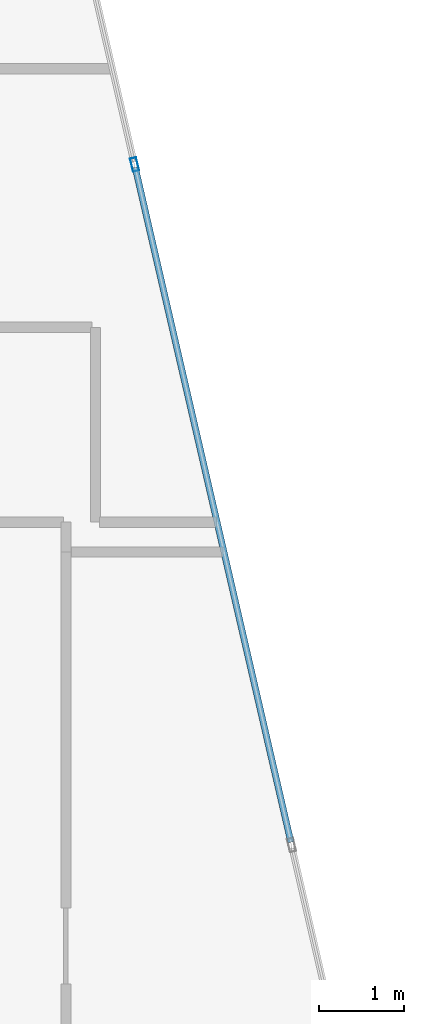
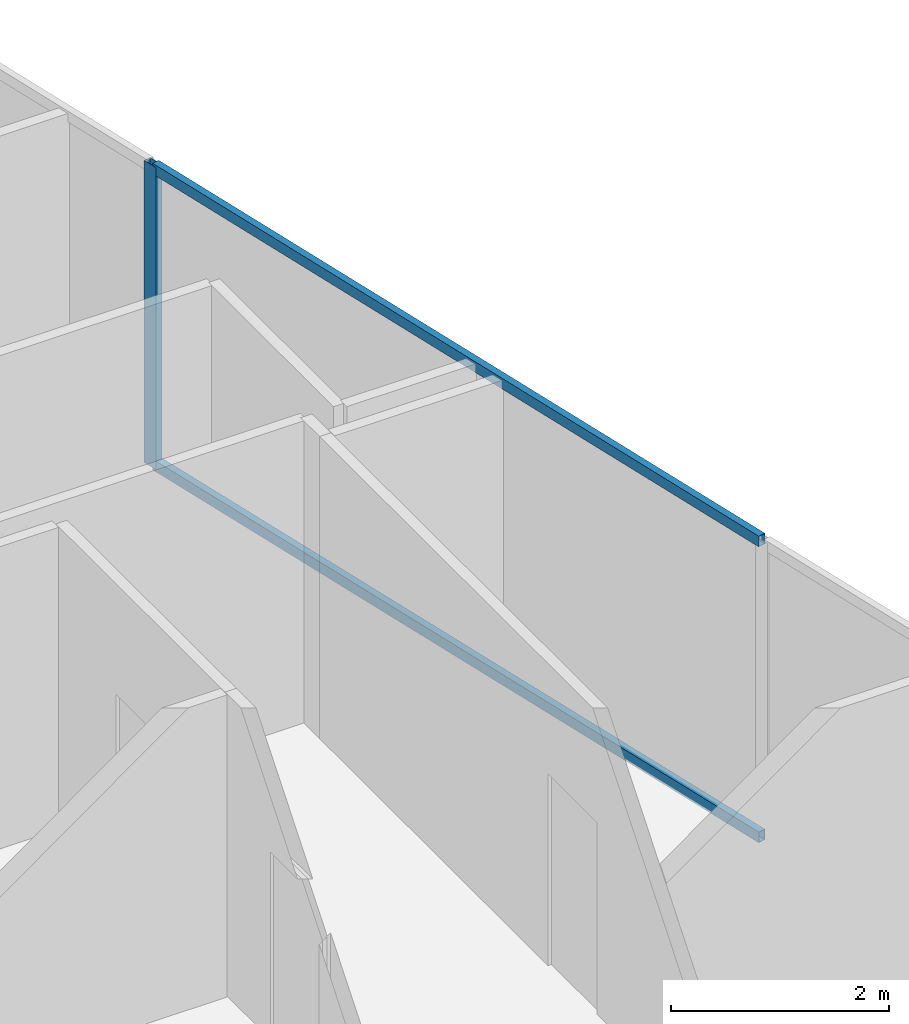
# One storey, part 20 of 31: 3 members, 1 element without a shape of its own.
"""IFC4 building model written with IfcOpenShell, lengths in metres."""

from ifc_helpers import new_model, si_unit, direction, frame, origin, origin_2d, place, context, subcontext, project, spatial, hollow_rectangle, extrude, material, layer, layer_set, material_profile, profile_set, type_object, element, aggregate, save


model = new_model("IFC4")

# Units and contexts
model_context = context("Model", 3, precision=1e-05, world=origin(), true_north=direction((0.0, 1.0)))
body_context = subcontext(model_context, "Body", "Model", "MODEL_VIEW")
ifc_project = project(units=[si_unit("LENGTHUNIT", "METRE"), si_unit("AREAUNIT", "SQUARE_METRE"), si_unit("VOLUMEUNIT", "CUBIC_METRE"), si_unit("PLANEANGLEUNIT", "RADIAN"), si_unit("MASSUNIT", "GRAM", prefix="KILO")], contexts=[model_context])

# Site, building, storey
site_placement = place(None, origin())
site = spatial("IfcSite", under=ifc_project, at=site_placement, CompositionType="ELEMENT")
building_placement = place(site_placement, origin())
building = spatial("IfcBuilding", under=site, at=building_placement, Name="Keshet Zoharim Tower", CompositionType="ELEMENT")
storey_placement = place(building_placement, frame((0.0, 0.0, 276.89990234375)))
storey = spatial("IfcBuildingStorey", under=building, at=storey_placement, Name="L69", CompositionType="ELEMENT", Elevation=276.89990234375)

# Curtain wall, members
ifc_material = material(Name="Aluminium 6063-T6", Category="aluminium")
ifc_layer = layer(ifc_material, 0.260009765625)
ifc_layer_set = layer_set([ifc_layer], Name="Aluminium 6063-T6")
curtain_wall_type = type_object("IfcCurtainWallType", Name="CW-SYS-06", PredefinedType="NOTDEFINED", material=ifc_layer_set)
curtain_wall_placement = place(storey_placement, origin())
curtain_wall = element("IfcCurtainWall", 1, at=curtain_wall_placement, inside=storey, type_object=curtain_wall_type, Name="L69 Unitised Curtain Wall 09", PredefinedType="NOTDEFINED")
ifc_material_profile_1 = material_profile(ifc_material, hollow_rectangle(XDim=0.074951171875, YDim=0.159912109375, WallThickness=0.00390625, at=origin_2d()), Name="MUL-75x160")
ifc_profile_set_1 = profile_set([ifc_material_profile_1], Name="Aluminium 6063-T6")
member_type_1 = type_object("IfcMemberType", Name="CWM-M15", PredefinedType="MULLION", material=ifc_profile_set_1)
member_1_placement = place(storey_placement, frame((41.210693359375, 44.320556640625, 0.0), z_axis=(0.0, 0.0, 1.0), x_axis=(0.974398012932, 0.224829963294, 0.0)))
member_1 = element("IfcMember", 2, at=member_1_placement, type_object=member_type_1, Name="CW-06 mullion 2", PredefinedType="MULLION", context=body_context, shape_type="SweptSolid", body=[
    extrude(hollow_rectangle(XDim=0.074951171875, YDim=0.159912109375, WallThickness=0.00390625, at=origin_2d()), origin(), (0.0, 0.0, 1.0), 3.39013671875),
])
ifc_material_profile_2 = material_profile(ifc_material, hollow_rectangle(XDim=0.074951171875, YDim=0.1201171875, WallThickness=0.00390625, at=origin_2d()), Name="TRN-75x120")
ifc_profile_set_2 = profile_set([ifc_material_profile_2], Name="Aluminium 6063-T6")
member_type_2 = type_object("IfcMemberType", Name="CWT-T12", PredefinedType="USERDEFINED", material=ifc_profile_set_2)
member_2_placement = place(storey_placement, frame((41.218505859375, 44.28662109375, 0.03515625), z_axis=(0.224826771459, -0.974398749402, 0.0), x_axis=(0.974398749402, 0.224826771459, 0.0)))
member_2 = element("IfcMember", 3, at=member_2_placement, type_object=member_type_2, Name="CW-06 transom 2.1", ObjectType="TRANSOM", PredefinedType="USERDEFINED", context=body_context, shape_type="SweptSolid", body=[
    extrude(hollow_rectangle(XDim=0.074951171875, YDim=0.1201171875, WallThickness=0.00390625, at=origin_2d()), origin(), (0.0, 0.0, 1.0), 8.17041015625),
])
member_3_placement = place(storey_placement, frame((41.218505859375, 44.28662109375, 3.35498046875), z_axis=(0.224826771459, -0.974398749402, 0.0), x_axis=(0.974398749402, 0.224826771459, 0.0)))
member_3 = element("IfcMember", 4, at=member_3_placement, type_object=member_type_2, Name="CW-06 transom 2.2", ObjectType="TRANSOM", PredefinedType="USERDEFINED", context=body_context, shape_type="SweptSolid", body=[
    extrude(hollow_rectangle(XDim=0.074951171875, YDim=0.1201171875, WallThickness=0.00390625, at=origin_2d()), origin(), (0.0, 0.0, 1.0), 8.17041015625),
])
aggregate(curtain_wall, [member_1, member_2, member_3])

save(model, "model.ifc")
